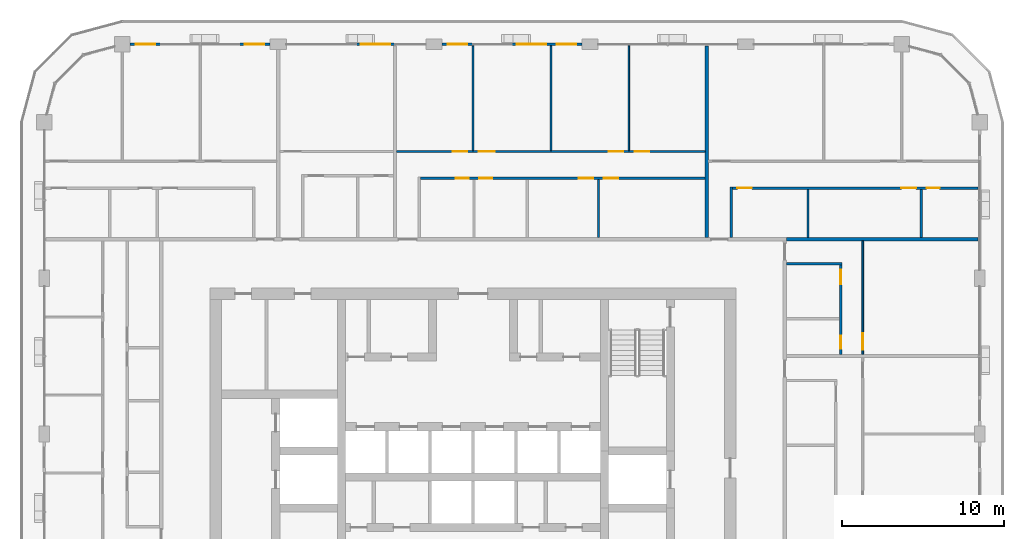
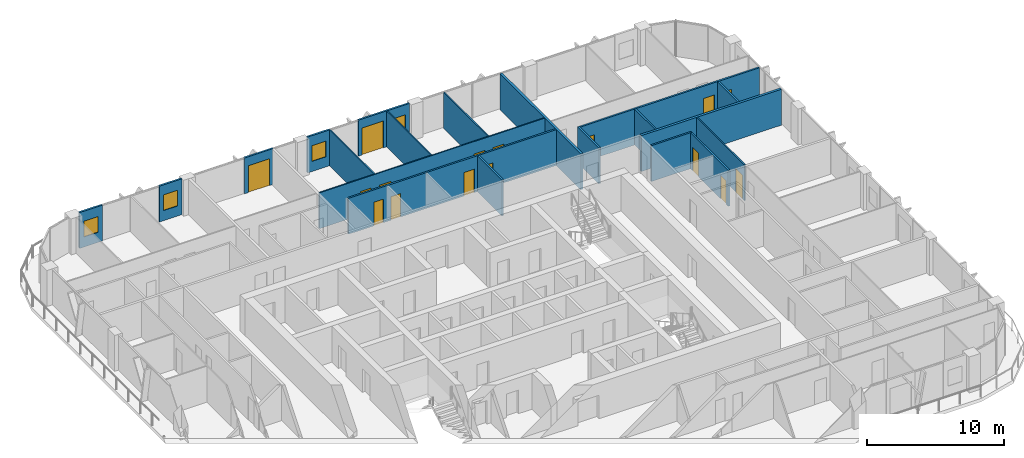
# One storey, part 15 of 23: 20 walls, 16 doors, 4 windows, 20 openings.
"""IFC4 building model written with IfcOpenShell, lengths in metres."""

from ifc_helpers import new_model, si_unit, direction, frame, frame_2d, origin, place, context, subcontext, project, spatial, rectangle, extrude, material, layer, layer_set, type_object, element, fill, save


model = new_model("IFC4")

# Units and contexts
model_context = context("Model", 3, precision=1e-05, world=origin(), true_north=direction((0.0, 1.0)))
body_context = subcontext(model_context, "Body", "Model", "MODEL_VIEW")
ifc_project = project(units=[si_unit("LENGTHUNIT", "METRE"), si_unit("AREAUNIT", "SQUARE_METRE"), si_unit("VOLUMEUNIT", "CUBIC_METRE"), si_unit("PLANEANGLEUNIT", "RADIAN"), si_unit("MASSUNIT", "GRAM", prefix="KILO")], contexts=[model_context])

# Site, building, storey
site_placement = place(None, origin())
site = spatial("IfcSite", under=ifc_project, at=site_placement, CompositionType="ELEMENT")
building_placement = place(site_placement, origin())
building = spatial("IfcBuilding", under=site, at=building_placement, Name="Madar Terraces", CompositionType="ELEMENT")
storey_placement = place(building_placement, frame((0.0, 0.0, 222.800048828125)))
storey = spatial("IfcBuildingStorey", under=building, at=storey_placement, Name="L58", CompositionType="ELEMENT", Elevation=222.800048828125)

# Wall, openings, door, window
ifc_material_1 = material(Name="Aluminium composite panel, black, over insulated backing", Category="aluminium")
ifc_layer_1 = layer(ifc_material_1, 0.14990234375)
ifc_layer_set_1 = layer_set([ifc_layer_1], Name="Facade bay panel 150")
wall_type_1 = type_object("IfcWallType", Name="Facade bay panel 150", PredefinedType="SOLIDWALL", material=ifc_layer_set_1)
wall_1_placement = place(storey_placement, frame((37.89990234375, 52.800048828125, 0.0), z_axis=(0.0, 0.0, 1.0), x_axis=(-1.0, 0.0, 0.0)))
wall_1 = element("IfcWall", 1, at=wall_1_placement, inside=storey, type_object=wall_type_1, Name="Facade bay panel", PredefinedType="SOLIDWALL", context=body_context, shape_type="SweptSolid", body=[
    extrude(rectangle(XDim=4.2998046875, YDim=0.14990234375, at=frame_2d((2.14990234375, 0.0))), origin(), (0.0, 0.0, 1.0), 3.199951171875),
])
opening_1_placement = place(wall_1_placement, frame((0.35009765625, 0.0, 0.89990234375)))
opening_1 = element("IfcOpeningElement", 2, at=opening_1_placement, cuts=wall_1, Name="Opening W1", PredefinedType="OPENING", context=body_context, shape_type="SweptSolid", body=[
    extrude(rectangle(XDim=1.199951171875, YDim=1.39990234375, at=frame_2d((0.60009765625, 0.699951171875))), frame((0.0, 0.0849609375, 0.0), z_axis=(0.0, -1.0, 0.0), x_axis=(1.0, 0.0, 0.0)), (0.0, 0.0, 1.0), 0.169921875),
])
opening_2_placement = place(wall_1_placement, frame((2.199951171875, 0.0, 0.0)))
opening_2 = element("IfcOpeningElement", 3, at=opening_2_placement, cuts=wall_1, Name="Opening ED1", PredefinedType="OPENING", context=body_context, shape_type="SweptSolid", body=[
    extrude(rectangle(XDim=1.800048828125, YDim=2.39990234375, at=frame_2d((0.89990234375, 1.199951171875))), frame((0.0, 0.0849609375, 0.0), z_axis=(0.0, -1.0, 0.0), x_axis=(1.0, 0.0, 0.0)), (0.0, 0.0, 1.0), 0.169921875),
])
ifc_material_2 = material(Name="Glass, clear, with black aluminium frame", Category="aluminium")
door_type_1 = type_object("IfcDoorType", Name="Balcony and terrace sliding door 1800 x 2400", OperationType="SLIDING_TO_LEFT", PredefinedType="DOOR", material=ifc_material_2)
door_1_placement = place(opening_2_placement, origin())
door_1 = element("IfcDoor", 4, at=door_1_placement, inside=storey, type_object=door_type_1, Name="Balcony door", OperationType="SLIDING_TO_LEFT", OverallHeight=2.39990234375, OverallWidth=1.800048828125, PredefinedType="DOOR", context=body_context, shape_type="SweptSolid", body=[
    extrude(rectangle(XDim=1.800048828125, YDim=2.39990234375, at=frame_2d((0.89990234375, 1.199951171875))), frame((0.0, 0.02490234375, 0.0), z_axis=(0.0, -1.0, 0.0), x_axis=(1.0, 0.0, 0.0)), (0.0, 0.0, 1.0), 0.050048828125),
])
fill(opening_2, door_1)
ifc_material_3 = material(Name="Glass, clear, with black aluminium frame", Category="aluminium")
window_type = type_object("IfcWindowType", Name="Vent window 1200 x 1400", PartitioningType="SINGLE_PANEL", PredefinedType="WINDOW", material=ifc_material_3)
window_1_placement = place(opening_1_placement, origin())
window_1 = element("IfcWindow", 5, at=window_1_placement, inside=storey, type_object=window_type, Name="Operable vent window", OverallHeight=1.39990234375, OverallWidth=1.199951171875, PartitioningType="SINGLE_PANEL", PredefinedType="WINDOW", context=body_context, shape_type="SweptSolid", body=[
    extrude(rectangle(XDim=1.199951171875, YDim=1.39990234375, at=frame_2d((0.60009765625, 0.699951171875))), frame((0.0, 0.030029296875, 0.0), z_axis=(0.0, -1.0, 0.0), x_axis=(1.0, 0.0, 0.0)), (0.0, 0.0, 1.0), 0.06005859375),
])
fill(opening_1, window_1)

# Wall, opening, window
wall_2_placement = place(storey_placement, frame((31.199951171875, 52.800048828125, 0.0), z_axis=(0.0, 0.0, 1.0), x_axis=(-1.0, 0.0, 0.0)))
wall_2 = element("IfcWall", 6, at=wall_2_placement, inside=storey, type_object=wall_type_1, Name="Facade bay panel", PredefinedType="SOLIDWALL", context=body_context, shape_type="SweptSolid", body=[
    extrude(rectangle(XDim=1.89990234375, YDim=0.14990234375, at=frame_2d((0.949951171875, 0.0))), origin(), (0.0, 0.0, 1.0), 3.199951171875),
])
opening_3_placement = place(wall_2_placement, frame((0.35009765625, 0.0, 0.89990234375)))
opening_3 = element("IfcOpeningElement", 7, at=opening_3_placement, cuts=wall_2, Name="Opening W1", PredefinedType="OPENING", context=body_context, shape_type="SweptSolid", body=[
    extrude(rectangle(XDim=1.199951171875, YDim=1.39990234375, at=frame_2d((0.60009765625, 0.699951171875))), frame((0.0, 0.0849609375, 0.0), z_axis=(0.0, -1.0, 0.0), x_axis=(1.0, 0.0, 0.0)), (0.0, 0.0, 1.0), 0.169921875),
])
window_2_placement = place(opening_3_placement, origin())
window_2 = element("IfcWindow", 8, at=window_2_placement, inside=storey, type_object=window_type, Name="Operable vent window", OverallHeight=1.39990234375, OverallWidth=1.199951171875, PartitioningType="SINGLE_PANEL", PredefinedType="WINDOW", context=body_context, shape_type="SweptSolid", body=[
    extrude(rectangle(XDim=1.199951171875, YDim=1.39990234375, at=frame_2d((0.60009765625, 0.699951171875))), frame((0.0, 0.030029296875, 0.0), z_axis=(0.0, -1.0, 0.0), x_axis=(1.0, 0.0, 0.0)), (0.0, 0.0, 1.0), 0.06005859375),
])
fill(opening_3, window_2)

# Wall, opening, door
wall_3_placement = place(storey_placement, frame((26.39990234375, 52.800048828125, 0.0), z_axis=(0.0, 0.0, 1.0), x_axis=(-1.0, 0.0, 0.0)))
wall_3 = element("IfcWall", 9, at=wall_3_placement, inside=storey, type_object=wall_type_1, Name="Facade bay panel", PredefinedType="SOLIDWALL", context=body_context, shape_type="SweptSolid", body=[
    extrude(rectangle(XDim=2.39990234375, YDim=0.14990234375, at=frame_2d((1.199951171875, 0.0))), origin(), (0.0, 0.0, 1.0), 3.199951171875),
])
opening_4_placement = place(wall_3_placement, frame((0.300048828125, 0.0, 0.0)))
opening_4 = element("IfcOpeningElement", 10, at=opening_4_placement, cuts=wall_3, Name="Opening ED1", PredefinedType="OPENING", context=body_context, shape_type="SweptSolid", body=[
    extrude(rectangle(XDim=1.800048828125, YDim=2.39990234375, at=frame_2d((0.89990234375, 1.199951171875))), frame((0.0, 0.0849609375, 0.0), z_axis=(0.0, -1.0, 0.0), x_axis=(1.0, 0.0, 0.0)), (0.0, 0.0, 1.0), 0.169921875),
])
door_2_placement = place(opening_4_placement, origin())
door_2 = element("IfcDoor", 11, at=door_2_placement, inside=storey, type_object=door_type_1, Name="Balcony door", OperationType="SLIDING_TO_RIGHT", OverallHeight=2.39990234375, OverallWidth=1.800048828125, PredefinedType="DOOR", context=body_context, shape_type="SweptSolid", body=[
    extrude(rectangle(XDim=1.800048828125, YDim=2.39990234375, at=frame_2d((0.89990234375, 1.199951171875))), frame((0.0, 0.02490234375, 0.0), z_axis=(0.0, -1.0, 0.0), x_axis=(1.0, 0.0, 0.0)), (0.0, 0.0, 1.0), 0.050048828125),
])
fill(opening_4, door_2)

# Wall, opening, window
wall_4_placement = place(storey_placement, frame((18.699951171875, 52.800048828125, 0.0), z_axis=(0.0, 0.0, 1.0), x_axis=(-1.0, 0.0, 0.0)))
wall_4 = element("IfcWall", 12, at=wall_4_placement, inside=storey, type_object=wall_type_1, Name="Facade bay panel", PredefinedType="SOLIDWALL", context=body_context, shape_type="SweptSolid", body=[
    extrude(rectangle(XDim=1.89990234375, YDim=0.14990234375, at=frame_2d((0.949951171875, 0.0))), origin(), (0.0, 0.0, 1.0), 3.199951171875),
])
opening_5_placement = place(wall_4_placement, frame((0.35009765625, 0.0, 0.89990234375)))
opening_5 = element("IfcOpeningElement", 13, at=opening_5_placement, cuts=wall_4, Name="Opening W1", PredefinedType="OPENING", context=body_context, shape_type="SweptSolid", body=[
    extrude(rectangle(XDim=1.199951171875, YDim=1.39990234375, at=frame_2d((0.60009765625, 0.699951171875))), frame((0.0, 0.0849609375, 0.0), z_axis=(0.0, -1.0, 0.0), x_axis=(1.0, 0.0, 0.0)), (0.0, 0.0, 1.0), 0.169921875),
])
window_3_placement = place(opening_5_placement, origin())
window_3 = element("IfcWindow", 14, at=window_3_placement, inside=storey, type_object=window_type, Name="Operable vent window", OverallHeight=1.39990234375, OverallWidth=1.199951171875, PartitioningType="SINGLE_PANEL", PredefinedType="WINDOW", context=body_context, shape_type="SweptSolid", body=[
    extrude(rectangle(XDim=1.199951171875, YDim=1.39990234375, at=frame_2d((0.60009765625, 0.699951171875))), frame((0.0, 0.030029296875, 0.0), z_axis=(0.0, -1.0, 0.0), x_axis=(1.0, 0.0, 0.0)), (0.0, 0.0, 1.0), 0.06005859375),
])
fill(opening_5, window_3)

wall_5_placement = place(storey_placement, frame((12.0, 52.800048828125, 0.0), z_axis=(0.0, 0.0, 1.0), x_axis=(-1.0, 0.0, 0.0)))
wall_5 = element("IfcWall", 15, at=wall_5_placement, inside=storey, type_object=wall_type_1, Name="Facade bay panel", PredefinedType="SOLIDWALL", context=body_context, shape_type="SweptSolid", body=[
    extrude(rectangle(XDim=1.925048828125, YDim=0.14990234375, at=frame_2d((0.96240234375, 0.0))), origin(), (0.0, 0.0, 1.0), 3.199951171875),
])
opening_6_placement = place(wall_5_placement, frame((0.362548828125, 0.0, 0.89990234375)))
opening_6 = element("IfcOpeningElement", 16, at=opening_6_placement, cuts=wall_5, Name="Opening W1", PredefinedType="OPENING", context=body_context, shape_type="SweptSolid", body=[
    extrude(rectangle(XDim=1.199951171875, YDim=1.39990234375, at=frame_2d((0.60009765625, 0.699951171875))), frame((0.0, 0.0849609375, 0.0), z_axis=(0.0, -1.0, 0.0), x_axis=(1.0, 0.0, 0.0)), (0.0, 0.0, 1.0), 0.169921875),
])
window_4_placement = place(opening_6_placement, origin())
window_4 = element("IfcWindow", 17, at=window_4_placement, inside=storey, type_object=window_type, Name="Operable vent window", OverallHeight=1.39990234375, OverallWidth=1.199951171875, PartitioningType="SINGLE_PANEL", PredefinedType="WINDOW", context=body_context, shape_type="SweptSolid", body=[
    extrude(rectangle(XDim=1.199951171875, YDim=1.39990234375, at=frame_2d((0.60009765625, 0.699951171875))), frame((0.0, 0.030029296875, 0.0), z_axis=(0.0, -1.0, 0.0), x_axis=(1.0, 0.0, 0.0)), (0.0, 0.0, 1.0), 0.06005859375),
])
fill(opening_6, window_4)

# Wall, opening, door
ifc_material_4 = material(Name="Gypsum board on steel studs", Category="steel")
ifc_layer_2 = layer(ifc_material_4, 0.10009765625)
ifc_layer_set_2 = layer_set([ifc_layer_2], Name="Flat partition 100")
wall_type_2 = type_object("IfcWallType", Name="Flat partition 100", PredefinedType="PARTITIONING", material=ifc_layer_set_2)
wall_6_placement = place(storey_placement, frame((55.199951171875, 40.699951171875, 0.0), z_axis=(0.0, 0.0, 1.0), x_axis=(0.0, -1.0, 0.0)))
wall_6 = element("IfcWall", 18, at=wall_6_placement, inside=storey, type_object=wall_type_2, Name="Flat partition 100", PredefinedType="PARTITIONING", context=body_context, shape_type="SweptSolid", body=[
    extrude(rectangle(XDim=7.0, YDim=0.10009765625, at=frame_2d((3.5, 0.0))), origin(), (0.0, 0.0, 1.0), 3.199951171875),
])
opening_7_placement = place(wall_6_placement, frame((5.699951171875, 0.0, 0.0)))
opening_7 = element("IfcOpeningElement", 19, at=opening_7_placement, cuts=wall_6, Name="Opening D3", PredefinedType="OPENING", context=body_context, shape_type="SweptSolid", body=[
    extrude(rectangle(XDim=1.0, YDim=2.10009765625, at=frame_2d((0.5, 1.050048828125))), frame((0.0, 0.06005859375, 0.0), z_axis=(0.0, -1.0, 0.0), x_axis=(1.0, 0.0, 0.0)), (0.0, 0.0, 1.0), 0.1201171875),
])
ifc_material_5 = material(Name="Timber door leaf", Category="wood")
door_type_2 = type_object("IfcDoorType", Name="Flat living room door 1000", OperationType="NOTDEFINED", PredefinedType="DOOR", material=ifc_material_5)
door_3_placement = place(opening_7_placement, origin())
door_3 = element("IfcDoor", 20, at=door_3_placement, inside=storey, type_object=door_type_2, Name="Flat living room door 1000", OperationType="SINGLE_SWING_RIGHT", OverallHeight=2.10009765625, OverallWidth=1.0, PredefinedType="DOOR", context=body_context, shape_type="SweptSolid", body=[
    extrude(rectangle(XDim=1.0, YDim=2.10009765625, at=frame_2d((0.5, 1.050048828125))), frame((0.0, 0.02490234375, 0.0), z_axis=(0.0, -1.0, 0.0), x_axis=(1.0, 0.0, 0.0)), (0.0, 0.0, 1.0), 0.050048828125),
])
fill(opening_7, door_3)

# Walls
for number, where, z_axis, x_axis, name in (
    (21, (31.199951171875, 46.25, 0.0), (0.0, 0.0, 1.0), (0.0, 1.0, 0.0), "Flat partition 100"),
    (22, (36.0, 46.25, 0.0), (0.0, 0.0, 1.0), (0.0, 1.0, 0.0), "Flat partition 100"),
    (23, (40.800048828125, 46.25, 0.0), (0.0, 0.0, 1.0), (0.0, 1.0, 0.0), "Flat partition 100"),
):
    element("IfcWall", number, at=place(storey_placement, frame(where, z_axis=z_axis, x_axis=x_axis)), inside=storey, type_object=wall_type_2, Name=name, PredefinedType="PARTITIONING", context=body_context, shape_type="SweptSolid", body=[
        extrude(rectangle(XDim=6.449951171875, YDim=0.10009765625, at=frame_2d((3.22509765625, 0.0))), origin(), (0.0, 0.0, 1.0), 3.199951171875),
    ])

# Wall, openings, doors
wall_7_placement = place(storey_placement, frame((26.5, 46.199951171875, 0.0), z_axis=(0.0, 0.0, 1.0), x_axis=(1.0, 0.0, 0.0)))
wall_7 = element("IfcWall", 24, at=wall_7_placement, inside=storey, type_object=wall_type_2, Name="Flat partition 100", PredefinedType="PARTITIONING", context=body_context, shape_type="SweptSolid", body=[
    extrude(rectangle(XDim=19.0, YDim=0.10009765625, at=frame_2d((9.5, 0.0))), origin(), (0.0, 0.0, 1.0), 3.199951171875),
])
opening_8_placement = place(wall_7_placement, frame((3.449951171875, 0.0, 0.0)))
opening_8 = element("IfcOpeningElement", 25, at=opening_8_placement, cuts=wall_7, Name="Opening D2", PredefinedType="OPENING", context=body_context, shape_type="SweptSolid", body=[
    extrude(rectangle(XDim=0.89990234375, YDim=2.10009765625, at=frame_2d((0.449951171875, 1.050048828125))), frame((0.0, 0.06005859375, 0.0), z_axis=(0.0, -1.0, 0.0), x_axis=(1.0, 0.0, 0.0)), (0.0, 0.0, 1.0), 0.1201171875),
])
opening_9_placement = place(wall_7_placement, frame((5.050048828125, 0.0, 0.0)))
opening_9 = element("IfcOpeningElement", 26, at=opening_9_placement, cuts=wall_7, Name="Opening D3", PredefinedType="OPENING", context=body_context, shape_type="SweptSolid", body=[
    extrude(rectangle(XDim=1.0, YDim=2.10009765625, at=frame_2d((0.5, 1.050048828125))), frame((0.0, 0.06005859375, 0.0), z_axis=(0.0, -1.0, 0.0), x_axis=(1.0, 0.0, 0.0)), (0.0, 0.0, 1.0), 0.1201171875),
])
opening_10_placement = place(wall_7_placement, frame((13.050048828125, 0.0, 0.0)))
opening_10 = element("IfcOpeningElement", 27, at=opening_10_placement, cuts=wall_7, Name="Opening D2", PredefinedType="OPENING", context=body_context, shape_type="SweptSolid", body=[
    extrude(rectangle(XDim=0.89990234375, YDim=2.10009765625, at=frame_2d((0.449951171875, 1.050048828125))), frame((0.0, 0.06005859375, 0.0), z_axis=(0.0, -1.0, 0.0), x_axis=(1.0, 0.0, 0.0)), (0.0, 0.0, 1.0), 0.1201171875),
])
opening_11_placement = place(wall_7_placement, frame((14.64990234375, 0.0, 0.0)))
opening_11 = element("IfcOpeningElement", 28, at=opening_11_placement, cuts=wall_7, Name="Opening D2", PredefinedType="OPENING", context=body_context, shape_type="SweptSolid", body=[
    extrude(rectangle(XDim=0.89990234375, YDim=2.10009765625, at=frame_2d((0.449951171875, 1.050048828125))), frame((0.0, 0.06005859375, 0.0), z_axis=(0.0, -1.0, 0.0), x_axis=(1.0, 0.0, 0.0)), (0.0, 0.0, 1.0), 0.1201171875),
])
door_4_placement = place(opening_9_placement, origin())
door_4 = element("IfcDoor", 29, at=door_4_placement, inside=storey, type_object=door_type_2, Name="Flat living room door 1000", OperationType="SINGLE_SWING_LEFT", OverallHeight=2.10009765625, OverallWidth=1.0, PredefinedType="DOOR", context=body_context, shape_type="SweptSolid", body=[
    extrude(rectangle(XDim=1.0, YDim=2.10009765625, at=frame_2d((0.5, 1.050048828125))), frame((0.0, 0.02490234375, 0.0), z_axis=(0.0, -1.0, 0.0), x_axis=(1.0, 0.0, 0.0)), (0.0, 0.0, 1.0), 0.050048828125),
])
fill(opening_9, door_4)
ifc_material_6 = material(Name="Timber door leaf", Category="wood")
door_type_3 = type_object("IfcDoorType", Name="Flat room door 900", OperationType="NOTDEFINED", PredefinedType="DOOR", material=ifc_material_6)
door_5_placement = place(opening_8_placement, origin())
door_5 = element("IfcDoor", 30, at=door_5_placement, inside=storey, type_object=door_type_3, Name="Flat room door 900", OperationType="SINGLE_SWING_RIGHT", OverallHeight=2.10009765625, OverallWidth=0.89990234375, PredefinedType="DOOR", context=body_context, shape_type="SweptSolid", body=[
    extrude(rectangle(XDim=0.89990234375, YDim=2.10009765625, at=frame_2d((0.449951171875, 1.050048828125))), frame((0.0, 0.02490234375, 0.0), z_axis=(0.0, -1.0, 0.0), x_axis=(1.0, 0.0, 0.0)), (0.0, 0.0, 1.0), 0.050048828125),
])
fill(opening_8, door_5)
door_6_placement = place(opening_10_placement, origin())
door_6 = element("IfcDoor", 31, at=door_6_placement, inside=storey, type_object=door_type_3, Name="Flat room door 900", OperationType="SINGLE_SWING_RIGHT", OverallHeight=2.10009765625, OverallWidth=0.89990234375, PredefinedType="DOOR", context=body_context, shape_type="SweptSolid", body=[
    extrude(rectangle(XDim=0.89990234375, YDim=2.10009765625, at=frame_2d((0.449951171875, 1.050048828125))), frame((0.0, 0.02490234375, 0.0), z_axis=(0.0, -1.0, 0.0), x_axis=(1.0, 0.0, 0.0)), (0.0, 0.0, 1.0), 0.050048828125),
])
fill(opening_10, door_6)
door_7_placement = place(opening_11_placement, origin())
door_7 = element("IfcDoor", 32, at=door_7_placement, inside=storey, type_object=door_type_3, Name="Flat room door 900", OperationType="SINGLE_SWING_LEFT", OverallHeight=2.10009765625, OverallWidth=0.89990234375, PredefinedType="DOOR", context=body_context, shape_type="SweptSolid", body=[
    extrude(rectangle(XDim=0.89990234375, YDim=2.10009765625, at=frame_2d((0.449951171875, 1.050048828125))), frame((0.0, 0.02490234375, 0.0), z_axis=(0.0, -1.0, 0.0), x_axis=(1.0, 0.0, 0.0)), (0.0, 0.0, 1.0), 0.050048828125),
])
fill(opening_11, door_7)

# Walls
ifc_material_7 = material(Name="Lightweight blockwork", Category="masonry")
ifc_layer_3 = layer(ifc_material_7, 0.199951171875)
ifc_layer_set_3 = layer_set([ifc_layer_3], Name="Flat party and entrance wall 200")
wall_type_3 = type_object("IfcWallType", Name="Flat party and entrance wall 200", PredefinedType="PARTITIONING", material=ifc_layer_set_3)
for number, where, z_axis, x_axis, name in (
    (33, (50.5, 40.800048828125, 0.0), (0.0, 0.0, 1.0), (1.0, 0.0, 0.0), "Flat party and entrance wall 200"),
    (34, (45.60009765625, 52.699951171875, 0.0), (0.0, 0.0, 1.0), (0.0, -1.0, 0.0), "Flat party and entrance wall 200"),
):
    element("IfcWall", number, at=place(storey_placement, frame(where, z_axis=z_axis, x_axis=x_axis)), inside=storey, type_object=wall_type_3, Name=name, PredefinedType="PARTITIONING", context=body_context, shape_type="SweptSolid", body=[
        extrude(rectangle(XDim=11.800048828125, YDim=0.199951171875, at=frame_2d((5.89990234375, 0.0))), origin(), (0.0, 0.0, 1.0), 3.199951171875),
    ])
ifc_material_8 = material(Name="Lightweight blockwork", Category="masonry")
ifc_layer_4 = layer(ifc_material_8, 0.14990234375)
ifc_layer_set_4 = layer_set([ifc_layer_4], Name="Flat wet-room partition 150")
wall_type_4 = type_object("IfcWallType", Name="Flat wet-room partition 150", PredefinedType="PARTITIONING", material=ifc_layer_set_4)
wall_8_placement = place(storey_placement, frame((50.5, 39.300048828125, 0.0), z_axis=(0.0, 0.0, 1.0), x_axis=(1.0, 0.0, 0.0)))
element("IfcWall", 35, at=wall_8_placement, inside=storey, type_object=wall_type_4, Name="Flat wet-room partition 150", PredefinedType="PARTITIONING", context=body_context, shape_type="SweptSolid", body=[
    extrude(rectangle(XDim=3.425048828125, YDim=0.14990234375, at=frame_2d((1.71240234375, 0.0))), origin(), (0.0, 0.0, 1.0), 3.199951171875),
])

# Wall, openings, doors
wall_9_placement = place(storey_placement, frame((53.85009765625, 33.699951171875, 0.0), z_axis=(0.0, 0.0, 1.0), x_axis=(0.0, 1.0, 0.0)))
wall_9 = element("IfcWall", 36, at=wall_9_placement, inside=storey, type_object=wall_type_4, Name="Flat wet-room partition 150", PredefinedType="PARTITIONING", context=body_context, shape_type="SweptSolid", body=[
    extrude(rectangle(XDim=5.525146484375, YDim=0.14990234375, at=frame_2d((2.7626953125, 0.0))), origin(), (0.0, 0.0, 1.0), 3.199951171875),
])
opening_12_placement = place(wall_9_placement, frame((4.324951171875, 0.0, 0.0)))
opening_12 = element("IfcOpeningElement", 37, at=opening_12_placement, cuts=wall_9, Name="Opening D2", PredefinedType="OPENING", context=body_context, shape_type="SweptSolid", body=[
    extrude(rectangle(XDim=0.89990234375, YDim=2.10009765625, at=frame_2d((0.449951171875, 1.050048828125))), frame((0.0, 0.0849609375, 0.0), z_axis=(0.0, -1.0, 0.0), x_axis=(1.0, 0.0, 0.0)), (0.0, 0.0, 1.0), 0.169921875),
])
opening_13_placement = place(wall_9_placement, frame((0.35009765625, 0.0, 0.0)))
opening_13 = element("IfcOpeningElement", 38, at=opening_13_placement, cuts=wall_9, Name="Opening D4", PredefinedType="OPENING", context=body_context, shape_type="SweptSolid", body=[
    extrude(rectangle(XDim=0.800048828125, YDim=2.10009765625, at=frame_2d((0.39990234375, 1.050048828125))), frame((0.0, 0.0849609375, 0.0), z_axis=(0.0, -1.0, 0.0), x_axis=(1.0, 0.0, 0.0)), (0.0, 0.0, 1.0), 0.169921875),
])
ifc_material_9 = material(Name="Timber door leaf", Category="wood")
door_type_4 = type_object("IfcDoorType", Name="Flat bathroom door 800", OperationType="NOTDEFINED", PredefinedType="DOOR", material=ifc_material_9)
door_8_placement = place(opening_13_placement, origin())
door_8 = element("IfcDoor", 39, at=door_8_placement, inside=storey, type_object=door_type_4, Name="Flat bathroom door 800", OperationType="SINGLE_SWING_LEFT", OverallHeight=2.10009765625, OverallWidth=0.800048828125, PredefinedType="DOOR", context=body_context, shape_type="SweptSolid", body=[
    extrude(rectangle(XDim=0.800048828125, YDim=2.10009765625, at=frame_2d((0.39990234375, 1.050048828125))), frame((0.0, 0.02490234375, 0.0), z_axis=(0.0, -1.0, 0.0), x_axis=(1.0, 0.0, 0.0)), (0.0, 0.0, 1.0), 0.050048828125),
])
fill(opening_13, door_8)
door_9_placement = place(opening_12_placement, origin())
door_9 = element("IfcDoor", 40, at=door_9_placement, inside=storey, type_object=door_type_3, Name="Flat room door 900", OperationType="SINGLE_SWING_RIGHT", OverallHeight=2.10009765625, OverallWidth=0.89990234375, PredefinedType="DOOR", context=body_context, shape_type="SweptSolid", body=[
    extrude(rectangle(XDim=0.89990234375, YDim=2.10009765625, at=frame_2d((0.449951171875, 1.050048828125))), frame((0.0, 0.02490234375, 0.0), z_axis=(0.0, -1.0, 0.0), x_axis=(1.0, 0.0, 0.0)), (0.0, 0.0, 1.0), 0.050048828125),
])
fill(opening_12, door_9)

# Walls
for number, where, z_axis, x_axis, name in (
    (41, (51.828857421875, 40.89990234375, 0.0), (0.0, 0.0, 1.0), (0.0, 1.0, 0.0), "Flat wet-room partition 150"),
    (42, (58.8095703125, 40.89990234375, 0.0), (0.0, 0.0, 1.0), (0.0, 1.0, 0.0), "Flat wet-room partition 150"),
):
    element("IfcWall", number, at=place(storey_placement, frame(where, z_axis=z_axis, x_axis=x_axis)), inside=storey, type_object=wall_type_4, Name=name, PredefinedType="PARTITIONING", context=body_context, shape_type="SweptSolid", body=[
        extrude(rectangle(XDim=2.97509765625, YDim=0.14990234375, at=frame_2d((1.487548828125, 0.0))), origin(), (0.0, 0.0, 1.0), 3.199951171875),
    ])
wall_10_placement = place(storey_placement, frame((47.10009765625, 40.89990234375, 0.0), z_axis=(0.0, 0.0, 1.0), x_axis=(0.0, 1.0, 0.0)))
element("IfcWall", 43, at=wall_10_placement, inside=storey, type_object=wall_type_4, Name="Flat wet-room partition 150", PredefinedType="PARTITIONING", context=body_context, shape_type="SweptSolid", body=[
    extrude(rectangle(XDim=3.125, YDim=0.14990234375, at=frame_2d((1.5625, 0.0))), origin(), (0.0, 0.0, 1.0), 3.199951171875),
])

# Wall, openings, doors
wall_11_placement = place(storey_placement, frame((62.300048828125, 43.949951171875, 0.0), z_axis=(0.0, 0.0, 1.0), x_axis=(-1.0, 0.0, 0.0)))
wall_11 = element("IfcWall", 44, at=wall_11_placement, inside=storey, type_object=wall_type_4, Name="Flat wet-room partition 150", PredefinedType="PARTITIONING", context=body_context, shape_type="SweptSolid", body=[
    extrude(rectangle(XDim=15.125, YDim=0.14990234375, at=frame_2d((7.5625, 0.0))), origin(), (0.0, 0.0, 1.0), 3.199951171875),
])
opening_14_placement = place(wall_11_placement, frame((13.925048828125, 0.0, 0.0)))
opening_14 = element("IfcOpeningElement", 45, at=opening_14_placement, cuts=wall_11, Name="Opening D5", PredefinedType="OPENING", context=body_context, shape_type="SweptSolid", body=[
    extrude(rectangle(XDim=0.89990234375, YDim=2.10009765625, at=frame_2d((0.449951171875, 1.050048828125))), frame((0.0, 0.0849609375, 0.0), z_axis=(0.0, -1.0, 0.0), x_axis=(1.0, 0.0, 0.0)), (0.0, 0.0, 1.0), 0.169921875),
])
opening_15_placement = place(wall_11_placement, frame((3.8154296875, 0.0, 0.0)))
opening_15 = element("IfcOpeningElement", 46, at=opening_15_placement, cuts=wall_11, Name="Opening D2", PredefinedType="OPENING", context=body_context, shape_type="SweptSolid", body=[
    extrude(rectangle(XDim=0.89990234375, YDim=2.10009765625, at=frame_2d((0.449951171875, 1.050048828125))), frame((0.0, 0.0849609375, 0.0), z_axis=(0.0, -1.0, 0.0), x_axis=(1.0, 0.0, 0.0)), (0.0, 0.0, 1.0), 0.169921875),
])
opening_16_placement = place(wall_11_placement, frame((2.365478515625, 0.0, 0.0)))
opening_16 = element("IfcOpeningElement", 47, at=opening_16_placement, cuts=wall_11, Name="Opening D4", PredefinedType="OPENING", context=body_context, shape_type="SweptSolid", body=[
    extrude(rectangle(XDim=0.800048828125, YDim=2.10009765625, at=frame_2d((0.39990234375, 1.050048828125))), frame((0.0, 0.0849609375, 0.0), z_axis=(0.0, -1.0, 0.0), x_axis=(1.0, 0.0, 0.0)), (0.0, 0.0, 1.0), 0.169921875),
])
ifc_material_10 = material(Name="Timber door leaf", Category="wood")
door_type_5 = type_object("IfcDoorType", Name="Flat accessible bathroom door 900", OperationType="NOTDEFINED", PredefinedType="DOOR", material=ifc_material_10)
door_10_placement = place(opening_14_placement, origin())
door_10 = element("IfcDoor", 48, at=door_10_placement, inside=storey, type_object=door_type_5, Name="Flat accessible bathroom door 900", OperationType="SINGLE_SWING_RIGHT", OverallHeight=2.10009765625, OverallWidth=0.89990234375, PredefinedType="DOOR", context=body_context, shape_type="SweptSolid", body=[
    extrude(rectangle(XDim=0.89990234375, YDim=2.10009765625, at=frame_2d((0.449951171875, 1.050048828125))), frame((0.0, 0.02490234375, 0.0), z_axis=(0.0, -1.0, 0.0), x_axis=(1.0, 0.0, 0.0)), (0.0, 0.0, 1.0), 0.050048828125),
])
fill(opening_14, door_10)
door_11_placement = place(opening_16_placement, origin())
door_11 = element("IfcDoor", 49, at=door_11_placement, inside=storey, type_object=door_type_4, Name="Flat bathroom door 800", OperationType="SINGLE_SWING_RIGHT", OverallHeight=2.10009765625, OverallWidth=0.800048828125, PredefinedType="DOOR", context=body_context, shape_type="SweptSolid", body=[
    extrude(rectangle(XDim=0.800048828125, YDim=2.10009765625, at=frame_2d((0.39990234375, 1.050048828125))), frame((0.0, 0.02490234375, 0.0), z_axis=(0.0, -1.0, 0.0), x_axis=(1.0, 0.0, 0.0)), (0.0, 0.0, 1.0), 0.050048828125),
])
fill(opening_16, door_11)
door_12_placement = place(opening_15_placement, origin())
door_12 = element("IfcDoor", 50, at=door_12_placement, inside=storey, type_object=door_type_3, Name="Flat room door 900", OperationType="SINGLE_SWING_LEFT", OverallHeight=2.10009765625, OverallWidth=0.89990234375, PredefinedType="DOOR", context=body_context, shape_type="SweptSolid", body=[
    extrude(rectangle(XDim=0.89990234375, YDim=2.10009765625, at=frame_2d((0.449951171875, 1.050048828125))), frame((0.0, 0.02490234375, 0.0), z_axis=(0.0, -1.0, 0.0), x_axis=(1.0, 0.0, 0.0)), (0.0, 0.0, 1.0), 0.050048828125),
])
fill(opening_15, door_12)

# Wall
wall_12_placement = place(storey_placement, frame((38.927978515625, 40.89990234375, 0.0), z_axis=(0.0, 0.0, 1.0), x_axis=(0.0, 1.0, 0.0)))
element("IfcWall", 51, at=wall_12_placement, inside=storey, type_object=wall_type_4, Name="Flat wet-room partition 150", PredefinedType="PARTITIONING", context=body_context, shape_type="SweptSolid", body=[
    extrude(rectangle(XDim=3.5751953125, YDim=0.14990234375, at=frame_2d((1.78759765625, 0.0))), origin(), (0.0, 0.0, 1.0), 3.199951171875),
])

# Wall, openings, doors
wall_13_placement = place(storey_placement, frame((45.5, 44.550048828125, 0.0), z_axis=(0.0, 0.0, 1.0), x_axis=(-1.0, 0.0, 0.0)))
wall_13 = element("IfcWall", 52, at=wall_13_placement, inside=storey, type_object=wall_type_4, Name="Flat wet-room partition 150", PredefinedType="PARTITIONING", context=body_context, shape_type="SweptSolid", body=[
    extrude(rectangle(XDim=17.52490234375, YDim=0.14990234375, at=frame_2d((8.762451171875, 0.0))), origin(), (0.0, 0.0, 1.0), 3.199951171875),
])
opening_17_placement = place(wall_13_placement, frame((14.564208984375, 0.0, 0.0)))
opening_17 = element("IfcOpeningElement", 53, at=opening_17_placement, cuts=wall_13, Name="Opening D7", PredefinedType="OPENING", context=body_context, shape_type="SweptSolid", body=[
    extrude(rectangle(XDim=0.800048828125, YDim=2.10009765625, at=frame_2d((0.39990234375, 1.050048828125))), frame((0.0, 0.0849609375, 0.0), z_axis=(0.0, -1.0, 0.0), x_axis=(1.0, 0.0, 0.0)), (0.0, 0.0, 1.0), 0.169921875),
])
opening_18_placement = place(wall_13_placement, frame((13.114013671875, 0.0, 0.0)))
opening_18 = element("IfcOpeningElement", 54, at=opening_18_placement, cuts=wall_13, Name="Opening D4", PredefinedType="OPENING", context=body_context, shape_type="SweptSolid", body=[
    extrude(rectangle(XDim=0.800048828125, YDim=2.10009765625, at=frame_2d((0.39990234375, 1.050048828125))), frame((0.0, 0.0849609375, 0.0), z_axis=(0.0, -1.0, 0.0), x_axis=(1.0, 0.0, 0.0)), (0.0, 0.0, 1.0), 0.169921875),
])
opening_19_placement = place(wall_13_placement, frame((6.89697265625, 0.0, 0.0)))
opening_19 = element("IfcOpeningElement", 55, at=opening_19_placement, cuts=wall_13, Name="Opening D5", PredefinedType="OPENING", context=body_context, shape_type="SweptSolid", body=[
    extrude(rectangle(XDim=0.89990234375, YDim=2.10009765625, at=frame_2d((0.449951171875, 1.050048828125))), frame((0.0, 0.0849609375, 0.0), z_axis=(0.0, -1.0, 0.0), x_axis=(1.0, 0.0, 0.0)), (0.0, 0.0, 1.0), 0.169921875),
])
opening_20_placement = place(wall_13_placement, frame((5.346923828125, 0.0, 0.0)))
opening_20 = element("IfcOpeningElement", 56, at=opening_20_placement, cuts=wall_13, Name="Opening D2", PredefinedType="OPENING", context=body_context, shape_type="SweptSolid", body=[
    extrude(rectangle(XDim=0.89990234375, YDim=2.10009765625, at=frame_2d((0.449951171875, 1.050048828125))), frame((0.0, 0.0849609375, 0.0), z_axis=(0.0, -1.0, 0.0), x_axis=(1.0, 0.0, 0.0)), (0.0, 0.0, 1.0), 0.169921875),
])
door_13_placement = place(opening_19_placement, origin())
door_13 = element("IfcDoor", 57, at=door_13_placement, inside=storey, type_object=door_type_5, Name="Flat accessible bathroom door 900", OperationType="SINGLE_SWING_LEFT", OverallHeight=2.10009765625, OverallWidth=0.89990234375, PredefinedType="DOOR", context=body_context, shape_type="SweptSolid", body=[
    extrude(rectangle(XDim=0.89990234375, YDim=2.10009765625, at=frame_2d((0.449951171875, 1.050048828125))), frame((0.0, 0.02490234375, 0.0), z_axis=(0.0, -1.0, 0.0), x_axis=(1.0, 0.0, 0.0)), (0.0, 0.0, 1.0), 0.050048828125),
])
fill(opening_19, door_13)
door_14_placement = place(opening_18_placement, origin())
door_14 = element("IfcDoor", 58, at=door_14_placement, inside=storey, type_object=door_type_4, Name="Flat bathroom door 800", OperationType="SINGLE_SWING_RIGHT", OverallHeight=2.10009765625, OverallWidth=0.800048828125, PredefinedType="DOOR", context=body_context, shape_type="SweptSolid", body=[
    extrude(rectangle(XDim=0.800048828125, YDim=2.10009765625, at=frame_2d((0.39990234375, 1.050048828125))), frame((0.0, 0.02490234375, 0.0), z_axis=(0.0, -1.0, 0.0), x_axis=(1.0, 0.0, 0.0)), (0.0, 0.0, 1.0), 0.050048828125),
])
fill(opening_18, door_14)
door_15_placement = place(opening_20_placement, origin())
door_15 = element("IfcDoor", 59, at=door_15_placement, inside=storey, type_object=door_type_3, Name="Flat room door 900", OperationType="SINGLE_SWING_RIGHT", OverallHeight=2.10009765625, OverallWidth=0.89990234375, PredefinedType="DOOR", context=body_context, shape_type="SweptSolid", body=[
    extrude(rectangle(XDim=0.89990234375, YDim=2.10009765625, at=frame_2d((0.449951171875, 1.050048828125))), frame((0.0, 0.02490234375, 0.0), z_axis=(0.0, -1.0, 0.0), x_axis=(1.0, 0.0, 0.0)), (0.0, 0.0, 1.0), 0.050048828125),
])
fill(opening_20, door_15)
ifc_material_11 = material(Name="Timber door leaf", Category="wood")
door_type_6 = type_object("IfcDoorType", Name="Flat utility door 800", OperationType="NOTDEFINED", PredefinedType="DOOR", material=ifc_material_11)
door_16_placement = place(opening_17_placement, origin())
door_16 = element("IfcDoor", 60, at=door_16_placement, inside=storey, type_object=door_type_6, Name="Flat utility door 800", OperationType="SINGLE_SWING_LEFT", OverallHeight=2.10009765625, OverallWidth=0.800048828125, PredefinedType="DOOR", context=body_context, shape_type="SweptSolid", body=[
    extrude(rectangle(XDim=0.800048828125, YDim=2.10009765625, at=frame_2d((0.39990234375, 1.050048828125))), frame((0.0, 0.02490234375, 0.0), z_axis=(0.0, -1.0, 0.0), x_axis=(1.0, 0.0, 0.0)), (0.0, 0.0, 1.0), 0.050048828125),
])
fill(opening_17, door_16)

save(model, "model.ifc")
